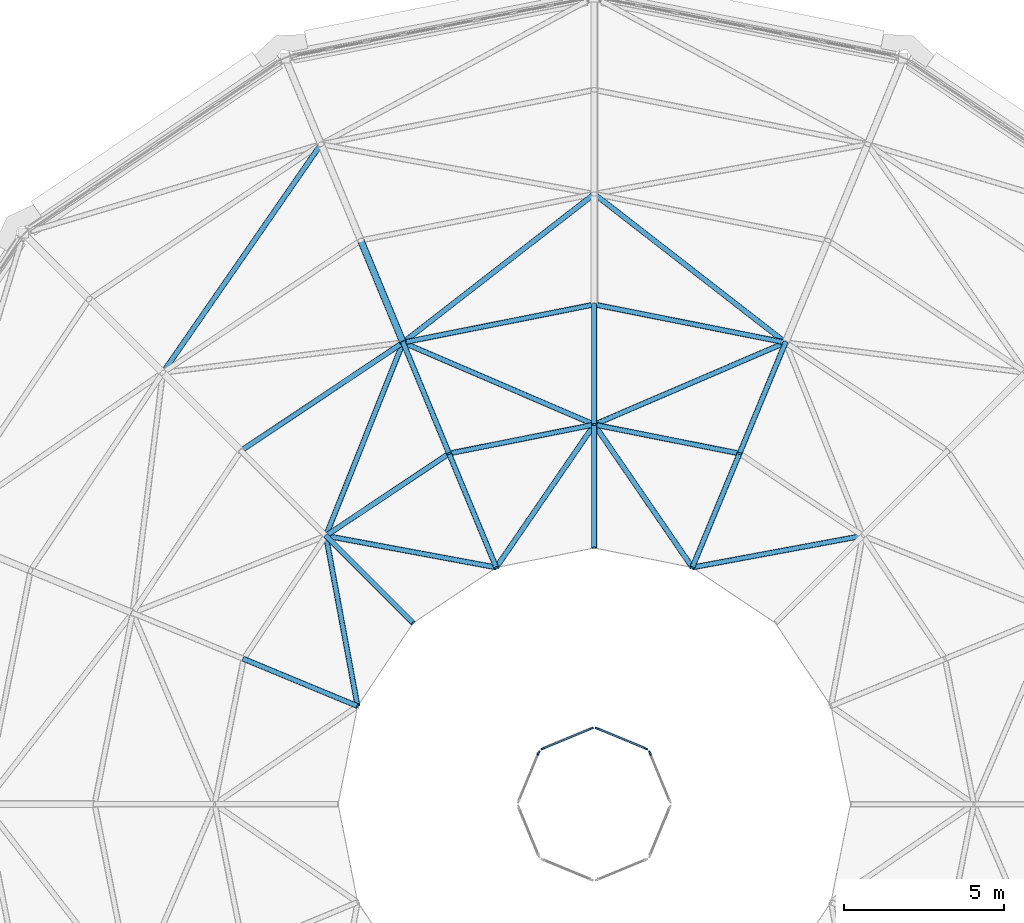
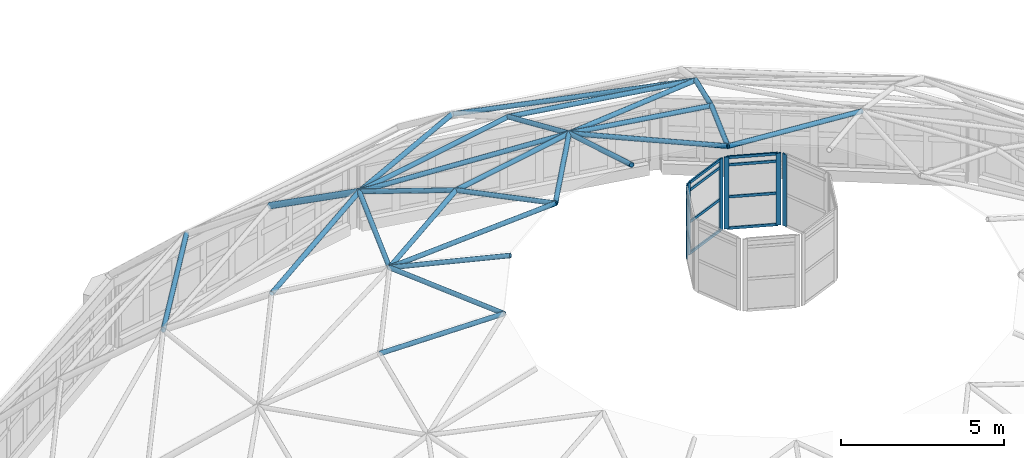
# One storey, part 20 of 68: 40 members, 4 elements without a shape of their own.
"""IFC4 building model written with IfcOpenShell, lengths in metres."""

from ifc_helpers import new_model, si_unit, direction, frame, origin, origin_2d, place, context, subcontext, project, spatial, rectangle, hollow_circle, extrude, material, material_profile, profile_set, type_object, element, aggregate, save


model = new_model("IFC4")

# Units and contexts
model_context = context("Model", 3, precision=1e-05, world=origin(), true_north=direction((0.0, 1.0)))
body_context = subcontext(model_context, "Body", "Model", "MODEL_VIEW")
ifc_project = project(units=[si_unit("LENGTHUNIT", "METRE"), si_unit("AREAUNIT", "SQUARE_METRE"), si_unit("VOLUMEUNIT", "CUBIC_METRE"), si_unit("PLANEANGLEUNIT", "RADIAN"), si_unit("MASSUNIT", "GRAM", prefix="KILO")], contexts=[model_context])

# Site, building, storey
site_placement = place(None, origin())
site = spatial("IfcSite", under=ifc_project, at=site_placement, CompositionType="ELEMENT")
building_placement = place(site_placement, origin())
building = spatial("IfcBuilding", under=site, at=building_placement, Name="Kupolbacken Congress Centre", CompositionType="ELEMENT")
storey_placement = place(building_placement, frame((0.0, 0.0, 25.199951171875)))
storey = spatial("IfcBuildingStorey", under=building, at=storey_placement, Name="L07", CompositionType="ELEMENT", Elevation=25.199951171875)

# Members
ifc_material_1 = material(Name="Steel S355", Category="steel")
ifc_material_profile_1 = material_profile(ifc_material_1, hollow_circle(Radius=0.109619140625, WallThickness=0.010009765625, at=origin_2d()), Name="CHS 219.1 x 10")
ifc_profile_set_1 = profile_set([ifc_material_profile_1], Name="Steel S355")
member_type_1 = type_object("IfcMemberType", Name="M15 dome rib CHS 219.1 x 10", PredefinedType="BRACE", material=ifc_profile_set_1)
member_1_placement = place(storey_placement, frame((35.909912109375, 104.0, 8.050048828125), z_axis=(0.331079277244, -0.799291982933, 0.501516538311), x_axis=(0.923878838758, 0.38268510723, 0.0)))
element("IfcMember", 1, at=member_1_placement, inside=storey, type_object=member_type_1, Name="DM/RIB03-06", PredefinedType="BRACE", context=body_context, shape_type="SweptSolid", body=[
    extrude(hollow_circle(Radius=0.109619140625, WallThickness=0.010009765625, at=origin_2d()), origin(), (0.0, 0.0, 1.0), 3.98779296875),
])
ifc_material_2 = material(Name="Steel S355", Category="steel")
ifc_material_profile_2 = material_profile(ifc_material_2, hollow_circle(Radius=0.084228515625, WallThickness=0.008056640625, at=origin_2d()), Name="CHS 168.3 x 8")
ifc_profile_set_2 = profile_set([ifc_material_profile_2], Name="Steel S355")
member_type_2 = type_object("IfcMemberType", Name="M16 dome rib CHS 168.3 x 8", PredefinedType="BRACE", material=ifc_profile_set_2)
for number, where, z_axis, x_axis, name in (
    (2, (49.169921875, 100.8125, 10.050048828125), (-0.350274631282, -0.845652822818, 0.402714521641), (0.92388194159, -0.382677616283, 0.0), "DM/RIB04-04"),
    (3, (43.199951171875, 102.0, 10.050048828125), (0.0, -0.91532381914, 0.402718643864), (1.0, 0.0, 0.0), "DM/RIB04-05"),
    (4, (37.230224609375, 100.8125, 10.050048828125), (0.350274631282, -0.845652822818, 0.402714521641), (0.92388194159, 0.382677616283, 0.0), "DM/RIB04-06"),
):
    element("IfcMember", number, at=place(storey_placement, frame(where, z_axis=z_axis, x_axis=x_axis)), inside=storey, type_object=member_type_2, Name=name, PredefinedType="BRACE", context=body_context, shape_type="SweptSolid", body=[
        extrude(hollow_circle(Radius=0.084228515625, WallThickness=0.008056640625, at=origin_2d()), origin(), (0.0, 0.0, 1.0), 4.096923828125),
    ])
member_2_placement = place(storey_placement, frame((47.73486328125, 97.347900390625, 11.699951171875), z_axis=(-0.366687760524, -0.885215241603, 0.28624126592), x_axis=(0.923872299408, -0.382700894154, 0.0)))
element("IfcMember", 5, at=member_2_placement, inside=storey, type_object=member_type_2, Name="DM/RIB05-04", PredefinedType="BRACE", context=body_context, shape_type="SweptSolid", body=[
    extrude(hollow_circle(Radius=0.084228515625, WallThickness=0.008056640625, at=origin_2d()), origin(), (0.0, 0.0, 1.0), 4.01806640625),
])
member_3_placement = place(storey_placement, frame((43.199951171875, 98.25, 11.699951171875), z_axis=(0.0, -0.958160086382, 0.286232857765), x_axis=(1.0, 0.0, 0.0)))
element("IfcMember", 6, at=member_3_placement, inside=storey, type_object=member_type_2, Name="DM/RIB05-05", PredefinedType="BRACE", context=body_context, shape_type="SweptSolid", body=[
    extrude(hollow_circle(Radius=0.084228515625, WallThickness=0.008056640625, at=origin_2d()), origin(), (0.0, 0.0, 1.0), 4.018310546875),
])
member_4_placement = place(storey_placement, frame((38.665283203125, 97.347900390625, 11.699951171875), z_axis=(0.366635168384, -0.88523496324, 0.286247643066), x_axis=(0.923894719297, 0.382646766164, 0.0)))
element("IfcMember", 7, at=member_4_placement, inside=storey, type_object=member_type_2, Name="DM/RIB05-06", PredefinedType="BRACE", context=body_context, shape_type="SweptSolid", body=[
    extrude(hollow_circle(Radius=0.084228515625, WallThickness=0.008056640625, at=origin_2d()), origin(), (0.0, 0.0, 1.0), 4.01806640625),
])
for number, where, z_axis, x_axis, name in (
    (8, (34.82080078125, 94.779296875, 11.699951171875), (0.677521126478, -0.677521126478, 0.286234600201), (0.707106781187, 0.707106781187, 0.0), "DM/RIB05-07"),
    (9, (32.251953125, 90.934814453125, 11.699951171875), (0.885228388682, -0.366668038826, 0.286225870905), (0.382678474425, 0.923881586142, 0.0), "DM/RIB05-08"),
):
    element("IfcMember", number, at=place(storey_placement, frame(where, z_axis=z_axis, x_axis=x_axis)), inside=storey, type_object=member_type_2, Name=name, PredefinedType="BRACE", context=body_context, shape_type="SweptSolid", body=[
        extrude(hollow_circle(Radius=0.084228515625, WallThickness=0.008056640625, at=origin_2d()), origin(), (0.0, 0.0, 1.0), 4.018310546875),
    ])
member_5_placement = place(storey_placement, frame((34.666259765625, 107.00244140625, 5.60009765625), z_axis=(-0.547698245292, -0.791291238363, 0.271817600964), x_axis=(0.822249944467, -0.569126549041, 0.0)))
element("IfcMember", 10, at=member_5_placement, inside=storey, type_object=member_type_2, Name="DM/DIA02-06", PredefinedType="BRACE", context=body_context, shape_type="SweptSolid", body=[
    extrude(hollow_circle(Radius=0.084228515625, WallThickness=0.008056640625, at=origin_2d()), origin(), (0.0, 0.0, 1.0), 9.01318359375),
])
member_6_placement = place(storey_placement, frame((49.169921875, 100.8125, 10.050048828125), z_axis=(-0.763460171609, 0.593053038879, -0.255766806765), x_axis=(-0.613457553102, -0.789727693919, 0.0)))
element("IfcMember", 11, at=member_6_placement, inside=storey, type_object=member_type_2, Name="DM/DIA03-04", PredefinedType="BRACE", context=body_context, shape_type="SweptSolid", body=[
    extrude(hollow_circle(Radius=0.084228515625, WallThickness=0.008056640625, at=origin_2d()), origin(), (0.0, 0.0, 1.0), 7.819580078125),
])
member_7_placement = place(storey_placement, frame((43.199951171875, 105.449951171875, 8.050048828125), z_axis=(-0.76344714775, -0.593067175344, 0.255772903418), x_axis=(0.613473199516, -0.789715539593, 0.0)))
element("IfcMember", 12, at=member_7_placement, inside=storey, type_object=member_type_2, Name="DM/DIA03-05", PredefinedType="BRACE", context=body_context, shape_type="SweptSolid", body=[
    extrude(hollow_circle(Radius=0.084228515625, WallThickness=0.008056640625, at=origin_2d()), origin(), (0.0, 0.0, 1.0), 7.8193359375),
])
member_8_placement = place(storey_placement, frame((49.169921875, 100.8125, 10.050048828125), z_axis=(-0.890652261752, -0.38229608389, 0.246146811635), x_axis=(0.394431740476, -0.918925242936, 0.0)))
element("IfcMember", 13, at=member_8_placement, inside=storey, type_object=member_type_2, Name="DM/DIA04-04", PredefinedType="BRACE", context=body_context, shape_type="SweptSolid", body=[
    extrude(hollow_circle(Radius=0.084228515625, WallThickness=0.008056640625, at=origin_2d()), origin(), (0.0, 0.0, 1.0), 6.702880859375),
])
member_9_placement = place(storey_placement, frame((43.199951171875, 98.25, 11.699951171875), z_axis=(-0.890644731342, 0.38230848602, -0.246154796925), x_axis=(-0.394445361623, -0.91891939619, 0.0)))
element("IfcMember", 14, at=member_9_placement, inside=storey, type_object=member_type_2, Name="DM/DIA04-05", PredefinedType="BRACE", context=body_context, shape_type="SweptSolid", body=[
    extrude(hollow_circle(Radius=0.084228515625, WallThickness=0.008056640625, at=origin_2d()), origin(), (0.0, 0.0, 1.0), 6.70263671875),
])
member_10_placement = place(storey_placement, frame((37.230224609375, 100.8125, 10.050048828125), z_axis=(-0.359467220562, -0.900106794461, 0.246152546009), x_axis=(0.928681296952, -0.370878752008, 0.0)))
element("IfcMember", 15, at=member_10_placement, inside=storey, type_object=member_type_2, Name="DM/DIA04-06", PredefinedType="BRACE", context=body_context, shape_type="SweptSolid", body=[
    extrude(hollow_circle(Radius=0.084228515625, WallThickness=0.008056640625, at=origin_2d()), origin(), (0.0, 0.0, 1.0), 6.702880859375),
])
member_11_placement = place(storey_placement, frame((51.5791015625, 94.779296875, 11.699951171875), z_axis=(-0.961662341261, -0.178724996898, 0.20799739634), x_axis=(0.182721223425, -0.983164764681, 0.0)))
element("IfcMember", 16, at=member_11_placement, inside=storey, type_object=member_type_2, Name="DM/DIA05-03", PredefinedType="BRACE", context=body_context, shape_type="SweptSolid", body=[
    extrude(hollow_circle(Radius=0.084228515625, WallThickness=0.008056640625, at=origin_2d()), origin(), (0.0, 0.0, 1.0), 5.529541015625),
])
for number, where, z_axis, x_axis, name in (
    (17, (46.261474609375, 93.791015625, 12.85009765625), (-0.553644371422, 0.806360510339, -0.207991916569), (-0.824389458685, -0.56602298576, 0.0), "DM/DIA05-04"),
    (18, (43.199951171875, 98.25, 11.699951171875), (-0.553644371422, -0.806360510339, 0.207991916569), (0.824389458685, -0.56602298576, 0.0), "DM/DIA05-05"),
):
    element("IfcMember", number, at=place(storey_placement, frame(where, z_axis=z_axis, x_axis=x_axis)), inside=storey, type_object=member_type_2, Name=name, PredefinedType="BRACE", context=body_context, shape_type="SweptSolid", body=[
        extrude(hollow_circle(Radius=0.084228515625, WallThickness=0.008056640625, at=origin_2d()), origin(), (0.0, 0.0, 1.0), 5.52978515625),
    ])
member_12_placement = place(storey_placement, frame((40.138427734375, 93.791015625, 12.85009765625), z_axis=(-0.961662341261, 0.178724996898, -0.20799739634), x_axis=(-0.182721223425, -0.983164764681, 0.0)))
element("IfcMember", 19, at=member_12_placement, inside=storey, type_object=member_type_2, Name="DM/DIA05-06", PredefinedType="BRACE", context=body_context, shape_type="SweptSolid", body=[
    extrude(hollow_circle(Radius=0.084228515625, WallThickness=0.008056640625, at=origin_2d()), origin(), (0.0, 0.0, 1.0), 5.529541015625),
])
member_13_placement = place(storey_placement, frame((34.82080078125, 94.779296875, 11.699951171875), z_axis=(0.178717408763, -0.961665661482, 0.207988565386), x_axis=(0.983166271626, 0.182713114845, 0.0)))
element("IfcMember", 20, at=member_13_placement, inside=storey, type_object=member_type_2, Name="DM/DIA05-07", PredefinedType="BRACE", context=body_context, shape_type="SweptSolid", body=[
    extrude(hollow_circle(Radius=0.084228515625, WallThickness=0.008056640625, at=origin_2d()), origin(), (0.0, 0.0, 1.0), 5.52978515625),
])
ifc_material_3 = material(Name="Steel S355", Category="steel")
ifc_material_profile_3 = material_profile(ifc_material_3, hollow_circle(Radius=0.084228515625, WallThickness=0.008056640625, at=origin_2d()), Name="CHS 168.3 x 8")
ifc_profile_set_3 = profile_set([ifc_material_profile_3], Name="Steel S355")
member_type_3 = type_object("IfcMemberType", Name="M17 dome ring CHS 168.3 x 8", PredefinedType="BRACE", material=ifc_profile_set_3)
member_14_placement = place(storey_placement, frame((49.169921875, 100.8125, 10.050048828125), z_axis=(-0.980785312019, 0.195090163074, 0.0), x_axis=(-0.195090163074, -0.980785312019, 0.0)))
element("IfcMember", 21, at=member_14_placement, inside=storey, type_object=member_type_3, Name="DM/RNG03-04", PredefinedType="BRACE", context=body_context, shape_type="SweptSolid", body=[
    extrude(hollow_circle(Radius=0.084228515625, WallThickness=0.008056640625, at=origin_2d()), origin(), (0.0, 0.0, 1.0), 6.0869140625),
])
member_15_placement = place(storey_placement, frame((43.199951171875, 102.0, 10.050048828125), z_axis=(-0.980783785373, -0.195097837889, 0.0), x_axis=(0.195097837889, -0.980783785373, 0.0)))
element("IfcMember", 22, at=member_15_placement, inside=storey, type_object=member_type_3, Name="DM/RNG03-05", PredefinedType="BRACE", context=body_context, shape_type="SweptSolid", body=[
    extrude(hollow_circle(Radius=0.084228515625, WallThickness=0.008056640625, at=origin_2d()), origin(), (0.0, 0.0, 1.0), 6.086669921875),
])
member_16_placement = place(storey_placement, frame((37.230224609375, 100.8125, 10.050048828125), z_axis=(-0.831475970497, -0.555560717191, 0.0), x_axis=(0.555560717191, -0.831475970497, 0.0)))
element("IfcMember", 23, at=member_16_placement, inside=storey, type_object=member_type_3, Name="DM/RNG03-06", PredefinedType="BRACE", context=body_context, shape_type="SweptSolid", body=[
    extrude(hollow_circle(Radius=0.084228515625, WallThickness=0.008056640625, at=origin_2d()), origin(), (0.0, 0.0, 1.0), 6.0869140625),
])
member_17_placement = place(storey_placement, frame((47.73486328125, 97.347900390625, 11.699951171875), z_axis=(-0.980783231687, 0.195100621324, 0.0), x_axis=(-0.195100621324, -0.980783231687, 0.0)))
element("IfcMember", 24, at=member_17_placement, inside=storey, type_object=member_type_3, Name="DM/RNG04-04", PredefinedType="BRACE", context=body_context, shape_type="SweptSolid", body=[
    extrude(hollow_circle(Radius=0.084228515625, WallThickness=0.008056640625, at=origin_2d()), origin(), (0.0, 0.0, 1.0), 4.623779296875),
])
for number, where, z_axis, x_axis, name in (
    (25, (43.199951171875, 98.25, 11.699951171875), (-0.980781221691, -0.195110725431, 0.0), (0.195110725431, -0.980781221691, 0.0), "DM/RNG04-05"),
    (26, (38.665283203125, 97.347900390625, 11.699951171875), (-0.831489345037, -0.555540699761, 0.0), (0.555540699761, -0.831489345037, 0.0), "DM/RNG04-06"),
):
    element("IfcMember", number, at=place(storey_placement, frame(where, z_axis=z_axis, x_axis=x_axis)), inside=storey, type_object=member_type_3, Name=name, PredefinedType="BRACE", context=body_context, shape_type="SweptSolid", body=[
        extrude(hollow_circle(Radius=0.084228515625, WallThickness=0.008056640625, at=origin_2d()), origin(), (0.0, 0.0, 1.0), 4.62353515625),
    ])

# Curtain wall, member
ifc_material_4 = material(Name="Aluminium mullion-transom frame with glass", Category="aluminium")
curtain_wall_type = type_object("IfcCurtainWallType", Name="CW8 curtain wall 2400x3600", PredefinedType="NOTDEFINED", material=ifc_material_4)
curtain_wall_1_placement = place(storey_placement, origin())
curtain_wall_1 = element("IfcCurtainWall", 27, at=curtain_wall_1_placement, inside=storey, type_object=curtain_wall_type, Name="DM/LAN/CW01", PredefinedType="NOTDEFINED")
ifc_material_5 = material(Name="Aluminium alloy", Category="aluminium")
ifc_material_profile_4 = material_profile(ifc_material_5, rectangle(XDim=0.050048828125, YDim=0.14990234375, at=origin_2d()), Name="50 x 150")
ifc_profile_set_4 = profile_set([ifc_material_profile_4], Name="Aluminium alloy")
member_type_4 = type_object("IfcMemberType", Name="MU1 mullion 50x150", PredefinedType="MULLION", material=ifc_profile_set_4)
member_18_placement = place(storey_placement, frame((44.938720703125, 87.99609375, 13.841064453125), z_axis=(0.0, 0.0, 1.0), x_axis=(-0.923879532565, -0.382683432236, 0.0)))
member_18 = element("IfcMember", 28, at=member_18_placement, type_object=member_type_4, Name="CW8 mullion 2", PredefinedType="MULLION", context=body_context, shape_type="SweptSolid", body=[
    extrude(rectangle(XDim=0.050048828125, YDim=0.14990234375, at=origin_2d()), origin(), (0.0, 0.0, 1.0), 2.7001953125),
])
aggregate(curtain_wall_1, [member_18])

# Curtain wall, members
curtain_wall_2_placement = place(storey_placement, origin())
curtain_wall_2 = element("IfcCurtainWall", 29, at=curtain_wall_2_placement, inside=storey, type_object=curtain_wall_type, Name="DM/LAN/CW02", PredefinedType="NOTDEFINED")
member_19_placement = place(storey_placement, frame((44.796142578125, 88.138916015625, 13.841064453125), z_axis=(0.0, 0.0, 1.0), x_axis=(-0.382683432236, -0.923879532565, 0.0)))
member_19 = element("IfcMember", 30, at=member_19_placement, type_object=member_type_4, Name="CW8 mullion 1", PredefinedType="MULLION", context=body_context, shape_type="SweptSolid", body=[
    extrude(rectangle(XDim=0.050048828125, YDim=0.14990234375, at=origin_2d()), origin(), (0.0, 0.0, 1.0), 2.7001953125),
])
member_20_placement = place(storey_placement, frame((43.30078125, 88.75830078125, 13.841064453125), z_axis=(0.0, 0.0, 1.0), x_axis=(-0.382683432236, -0.923879532565, 0.0)))
member_20 = element("IfcMember", 31, at=member_20_placement, type_object=member_type_4, Name="CW8 mullion 2", PredefinedType="MULLION", context=body_context, shape_type="SweptSolid", body=[
    extrude(rectangle(XDim=0.050048828125, YDim=0.14990234375, at=origin_2d()), origin(), (0.0, 0.0, 1.0), 2.7001953125),
])

curtain_wall_3_placement = place(storey_placement, origin())
curtain_wall_3 = element("IfcCurtainWall", 32, at=curtain_wall_3_placement, inside=storey, type_object=curtain_wall_type, Name="DM/LAN/CW03", PredefinedType="NOTDEFINED")
member_21_placement = place(storey_placement, frame((43.09912109375, 88.75830078125, 13.841064453125), z_axis=(0.0, 0.0, 1.0), x_axis=(0.382683432236, -0.923879532565, 0.0)))
member_21 = element("IfcMember", 33, at=member_21_placement, type_object=member_type_4, Name="CW8 mullion 1", PredefinedType="MULLION", context=body_context, shape_type="SweptSolid", body=[
    extrude(rectangle(XDim=0.050048828125, YDim=0.14990234375, at=origin_2d()), origin(), (0.0, 0.0, 1.0), 2.7001953125),
])
member_22_placement = place(storey_placement, frame((41.603759765625, 88.138916015625, 13.841064453125), z_axis=(0.0, 0.0, 1.0), x_axis=(0.382683432236, -0.923879532565, 0.0)))
member_22 = element("IfcMember", 34, at=member_22_placement, type_object=member_type_4, Name="CW8 mullion 2", PredefinedType="MULLION", context=body_context, shape_type="SweptSolid", body=[
    extrude(rectangle(XDim=0.050048828125, YDim=0.14990234375, at=origin_2d()), origin(), (0.0, 0.0, 1.0), 2.7001953125),
])

# Curtain wall, member
curtain_wall_4_placement = place(storey_placement, origin())
curtain_wall_4 = element("IfcCurtainWall", 35, at=curtain_wall_4_placement, inside=storey, type_object=curtain_wall_type, Name="DM/LAN/CW04", PredefinedType="NOTDEFINED")
member_23_placement = place(storey_placement, frame((41.461181640625, 87.99609375, 13.841064453125), z_axis=(0.0, 0.0, 1.0), x_axis=(0.923879532565, -0.382683432236, 0.0)))
member_23 = element("IfcMember", 36, at=member_23_placement, type_object=member_type_4, Name="CW8 mullion 1", PredefinedType="MULLION", context=body_context, shape_type="SweptSolid", body=[
    extrude(rectangle(XDim=0.050048828125, YDim=0.14990234375, at=origin_2d()), origin(), (0.0, 0.0, 1.0), 2.7001953125),
])
aggregate(curtain_wall_4, [member_23])

# Member
ifc_material_6 = material(Name="Aluminium alloy", Category="aluminium")
ifc_material_profile_5 = material_profile(ifc_material_6, rectangle(XDim=0.050048828125, YDim=0.10009765625, at=origin_2d()), Name="50 x 100")
ifc_profile_set_5 = profile_set([ifc_material_profile_5], Name="Aluminium alloy")
member_type_5 = type_object("IfcMemberType", Name="TR1 transom 50x100", PredefinedType="MULLION", material=ifc_profile_set_5)
member_24_placement = place(storey_placement, frame((44.773193359375, 88.1484375, 13.8662109375), z_axis=(-0.923866969846, 0.382713759914, 0.0), x_axis=(-0.382713759914, -0.923866969846, 0.0)))
member_24 = element("IfcMember", 37, at=member_24_placement, type_object=member_type_5, Name="CW8 transom 1.1", PredefinedType="MULLION", context=body_context, shape_type="SweptSolid", body=[
    extrude(rectangle(XDim=0.050048828125, YDim=0.10009765625, at=origin_2d()), origin(), (0.0, 0.0, 1.0), 1.568603515625),
])

member_25_placement = place(storey_placement, frame((44.773193359375, 88.1484375, 15.041259765625), z_axis=(-0.923866969846, 0.382713759914, 0.0), x_axis=(-0.382713759914, -0.923866969846, 0.0)))
member_25 = element("IfcMember", 38, at=member_25_placement, type_object=member_type_5, Name="CW8 transom 1.2", PredefinedType="MULLION", context=body_context, shape_type="SweptSolid", body=[
    extrude(rectangle(XDim=0.050048828125, YDim=0.10009765625, at=origin_2d()), origin(), (0.0, 0.0, 1.0), 1.568603515625),
])

member_26_placement = place(storey_placement, frame((44.773193359375, 88.1484375, 16.2412109375), z_axis=(-0.923866969846, 0.382713759914, 0.0), x_axis=(-0.382713759914, -0.923866969846, 0.0)))
member_26 = element("IfcMember", 39, at=member_26_placement, type_object=member_type_5, Name="CW8 transom 1.3", PredefinedType="MULLION", context=body_context, shape_type="SweptSolid", body=[
    extrude(rectangle(XDim=0.050048828125, YDim=0.10009765625, at=origin_2d()), origin(), (0.0, 0.0, 1.0), 1.568603515625),
])

member_27_placement = place(storey_placement, frame((44.773193359375, 88.1484375, 16.51611328125), z_axis=(-0.923866969846, 0.382713759914, 0.0), x_axis=(-0.382713759914, -0.923866969846, 0.0)))
member_27 = element("IfcMember", 40, at=member_27_placement, type_object=member_type_5, Name="CW8 transom 1.4", PredefinedType="MULLION", context=body_context, shape_type="SweptSolid", body=[
    extrude(rectangle(XDim=0.050048828125, YDim=0.10009765625, at=origin_2d()), origin(), (0.0, 0.0, 1.0), 1.568603515625),
])

aggregate(curtain_wall_2, [member_19, member_20, member_24, member_25, member_26, member_27])

member_28_placement = place(storey_placement, frame((43.076171875, 88.748779296875, 13.8662109375), z_axis=(-0.923866969846, -0.382713759914, 0.0), x_axis=(0.382713759914, -0.923866969846, 0.0)))
member_28 = element("IfcMember", 41, at=member_28_placement, type_object=member_type_5, Name="CW8 transom 1.1", PredefinedType="MULLION", context=body_context, shape_type="SweptSolid", body=[
    extrude(rectangle(XDim=0.050048828125, YDim=0.10009765625, at=origin_2d()), origin(), (0.0, 0.0, 1.0), 1.568603515625),
])

member_29_placement = place(storey_placement, frame((43.076171875, 88.748779296875, 15.041259765625), z_axis=(-0.923866969846, -0.382713759914, 0.0), x_axis=(0.382713759914, -0.923866969846, 0.0)))
member_29 = element("IfcMember", 42, at=member_29_placement, type_object=member_type_5, Name="CW8 transom 1.2", PredefinedType="MULLION", context=body_context, shape_type="SweptSolid", body=[
    extrude(rectangle(XDim=0.050048828125, YDim=0.10009765625, at=origin_2d()), origin(), (0.0, 0.0, 1.0), 1.568603515625),
])

member_30_placement = place(storey_placement, frame((43.076171875, 88.748779296875, 16.2412109375), z_axis=(-0.923866969846, -0.382713759914, 0.0), x_axis=(0.382713759914, -0.923866969846, 0.0)))
member_30 = element("IfcMember", 43, at=member_30_placement, type_object=member_type_5, Name="CW8 transom 1.3", PredefinedType="MULLION", context=body_context, shape_type="SweptSolid", body=[
    extrude(rectangle(XDim=0.050048828125, YDim=0.10009765625, at=origin_2d()), origin(), (0.0, 0.0, 1.0), 1.568603515625),
])

member_31_placement = place(storey_placement, frame((43.076171875, 88.748779296875, 16.51611328125), z_axis=(-0.923866969846, -0.382713759914, 0.0), x_axis=(0.382713759914, -0.923866969846, 0.0)))
member_31 = element("IfcMember", 44, at=member_31_placement, type_object=member_type_5, Name="CW8 transom 1.4", PredefinedType="MULLION", context=body_context, shape_type="SweptSolid", body=[
    extrude(rectangle(XDim=0.050048828125, YDim=0.10009765625, at=origin_2d()), origin(), (0.0, 0.0, 1.0), 1.568603515625),
])

aggregate(curtain_wall_3, [member_21, member_22, member_28, member_29, member_30, member_31])

save(model, "model.ifc")
